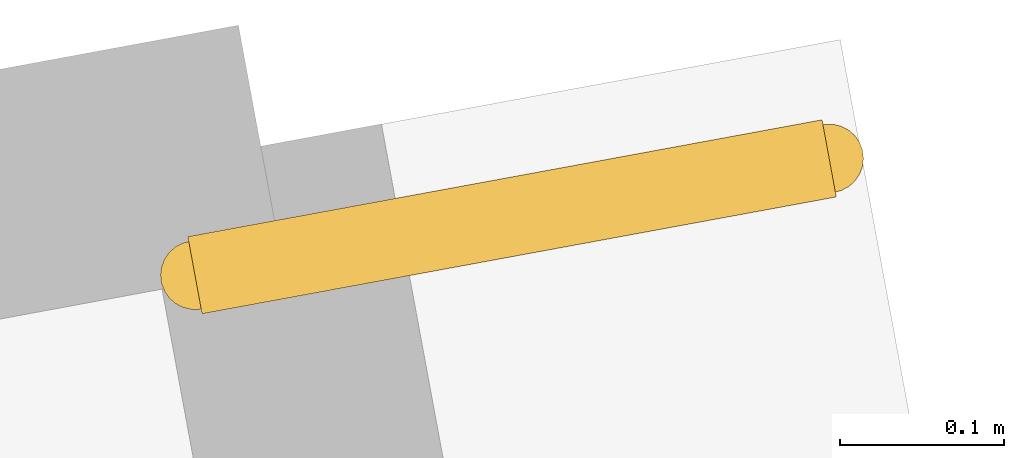
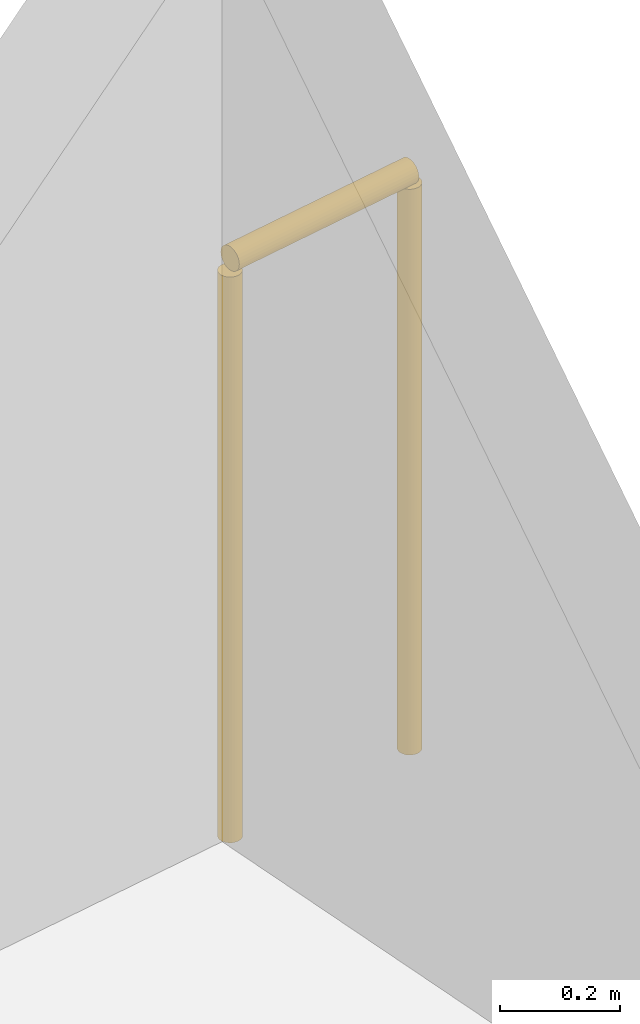
# One storey, part 14 of 16: 1 railing.
"""IFC4 building model written with IfcOpenShell, lengths in metres."""

from ifc_helpers import new_model, si_unit, direction, frame, origin, origin_2d, place, context, subcontext, project, spatial, circle, extrude, material, layer, layer_set, type_object, element, save


model = new_model("IFC4")

# Units and contexts
model_context = context("Model", 3, precision=1e-05, world=origin(), true_north=direction((0.0, 1.0)))
body_context = subcontext(model_context, "Body", "Model", "MODEL_VIEW")
ifc_project = project(units=[si_unit("LENGTHUNIT", "METRE"), si_unit("AREAUNIT", "SQUARE_METRE"), si_unit("VOLUMEUNIT", "CUBIC_METRE"), si_unit("PLANEANGLEUNIT", "RADIAN"), si_unit("MASSUNIT", "GRAM", prefix="KILO")], contexts=[model_context])

# Site, building, storey
site_placement = place(None, origin())
site = spatial("IfcSite", under=ifc_project, at=site_placement, CompositionType="ELEMENT")
building_placement = place(site_placement, origin())
building = spatial("IfcBuilding", under=site, at=building_placement, Name="Gaonmaruhae Medical Tower", CompositionType="ELEMENT")
storey_placement = place(building_placement, frame((0.0, 0.0, 67.0)))
storey = spatial("IfcBuildingStorey", under=building, at=storey_placement, Name="L15", CompositionType="ELEMENT", Elevation=67.0)

# Railing
ifc_material = material(Name="Stainless steel 316L and laminated safety glass", Category="steel")
ifc_layer = layer(ifc_material, 0.080078125)
ifc_layer_set = layer_set([ifc_layer], Name="Stainless steel 316L and laminated safety glass")
railing_type = type_object("IfcRailingType", Name="GD-120 Outdoor Terrace Safety Glass & Steel Balustrade", PredefinedType="BALUSTRADE", material=ifc_layer_set)
railing_placement = place(storey_placement, frame((63.51904296875, 27.908203125, 0.0)))
element("IfcRailing", 1, at=railing_placement, inside=storey, type_object=railing_type, Name="L15 Perimeter Slab Edge Safety Balustrade 07", PredefinedType="BALUSTRADE", context=body_context, shape_type="SweptSolid", body=[
    extrude(circle(Radius=0.02392578125, at=origin_2d()), frame((0.0, 0.0, 1.17578125), z_axis=(0.983450279344, 0.18117822181, 0.0), x_axis=(-0.18117822181, 0.983450279344, 0.0)), (0.0, 0.0, 1.0), 0.3935546875),
    extrude(circle(Radius=0.02099609375, at=origin_2d()), origin(), (0.0, 0.0, 1.0), 1.15185546875),
    extrude(circle(Radius=0.02099609375, at=origin_2d()), frame((0.386962890625, 0.0712890625, 0.0)), (0.0, 0.0, 1.0), 1.15185546875),
])

save(model, "model.ifc")
